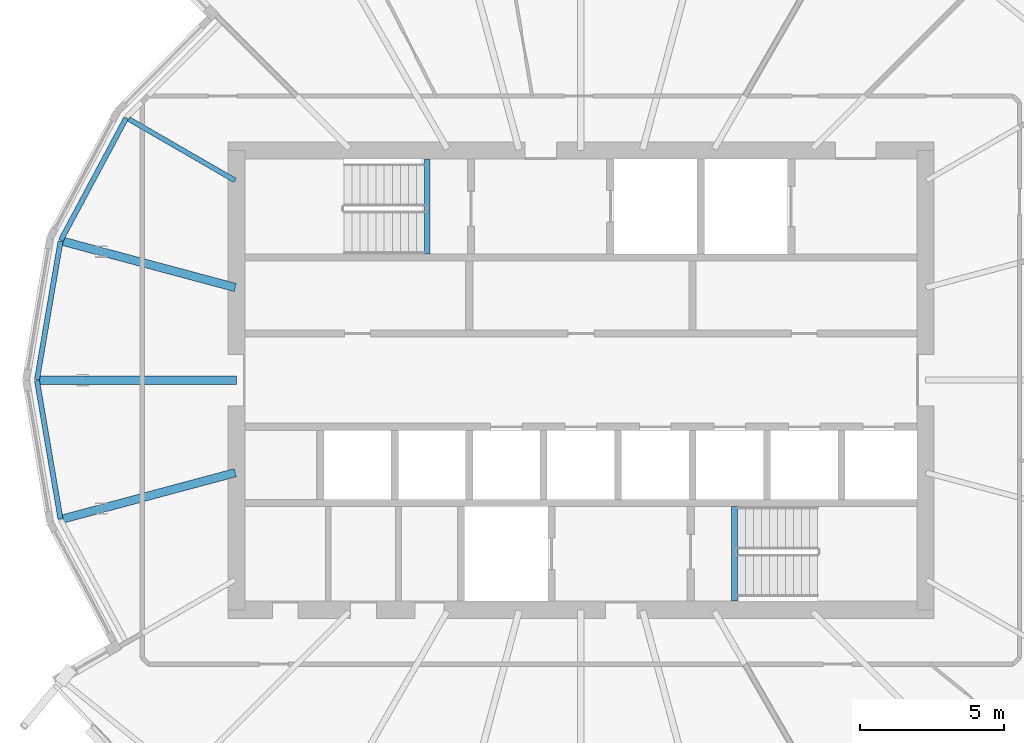
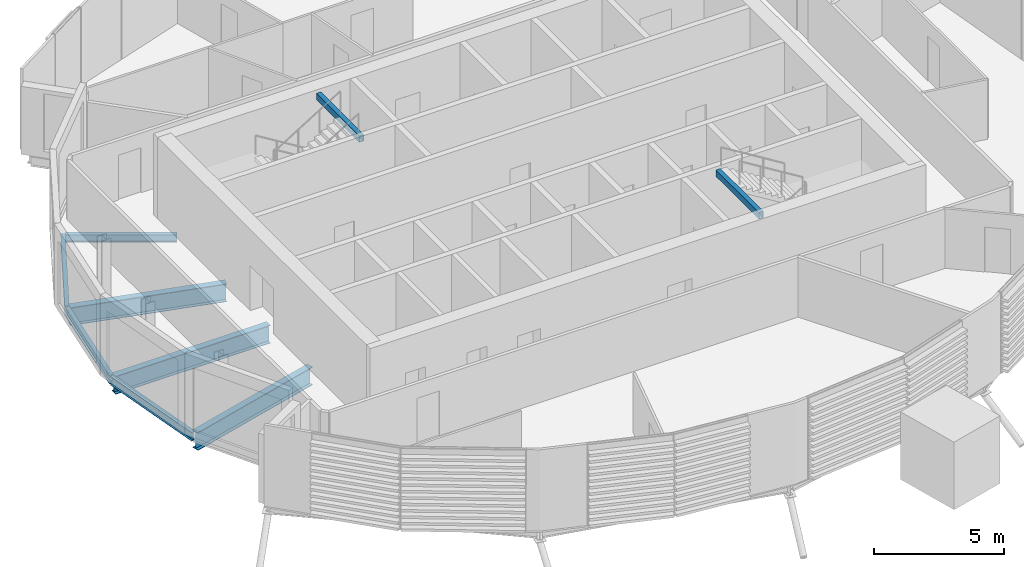
# One storey, part 5 of 38: 9 beams.
"""IFC4 building model written with IfcOpenShell, lengths in metres."""

from ifc_helpers import new_model, si_unit, direction, frame, origin, origin_2d, place, context, subcontext, project, spatial, hollow_rectangle, i_section, extrude, material, material_profile, profile_set, type_object, element, save


model = new_model("IFC4")

# Units and contexts
model_context = context("Model", 3, precision=1e-05, world=origin(), true_north=direction((0.0, 1.0)))
body_context = subcontext(model_context, "Body", "Model", "MODEL_VIEW")
ifc_project = project(units=[si_unit("LENGTHUNIT", "METRE"), si_unit("AREAUNIT", "SQUARE_METRE"), si_unit("VOLUMEUNIT", "CUBIC_METRE"), si_unit("PLANEANGLEUNIT", "RADIAN"), si_unit("MASSUNIT", "GRAM", prefix="KILO")], contexts=[model_context])

# Site, building, storey
site_placement = place(None, origin())
site = spatial("IfcSite", under=ifc_project, at=site_placement, CompositionType="ELEMENT")
building_placement = place(site_placement, origin())
building = spatial("IfcBuilding", under=site, at=building_placement, Name="Rimbun Link Towers", CompositionType="ELEMENT")
storey_placement = place(building_placement, frame((0.0, 0.0, 185.5)))
storey = spatial("IfcBuildingStorey", under=building, at=storey_placement, Name="L45", CompositionType="ELEMENT", Elevation=185.5)

# Beams
ifc_material_1 = material(Name="Steel S355J2", Category="steel")
ifc_material_profile_1 = material_profile(ifc_material_1, hollow_rectangle(XDim=0.199951171875, YDim=0.300048828125, WallThickness=0.011962890625, at=origin_2d()), Name="BOX 300x200x12")
ifc_profile_set_1 = profile_set([ifc_material_profile_1], Name="Steel S355J2")
beam_type_1 = type_object("IfcBeamType", Name="Stair trimmer beam BOX 300x200x12", PredefinedType="BEAM", material=ifc_profile_set_1)
for number, where, z_axis, x_axis, name in (
    (1, (-37.10009765625, 7.699951171875, 3.5), (0.0, -1.0, 0.0), (1.0, 0.0, 0.0), "L45 ST1 stair beam 1"),
    (2, (-26.39990234375, -7.699951171875, 3.5), (0.0, 1.0, 0.0), (-1.0, 0.0, 0.0), "L45 ST2 stair beam 1"),
):
    element("IfcBeam", number, at=place(storey_placement, frame(where, z_axis=z_axis, x_axis=x_axis)), inside=storey, type_object=beam_type_1, Name=name, PredefinedType="BEAM", context=body_context, shape_type="SweptSolid", body=[
        extrude(hollow_rectangle(XDim=0.199951171875, YDim=0.300048828125, WallThickness=0.011962890625, at=origin_2d()), origin(), (0.0, 0.0, 1.0), 3.300048828125),
    ])
ifc_material_2 = material(Name="Steel S355J2", Category="steel")
ifc_material_profile_2 = material_profile(ifc_material_2, i_section(OverallWidth=0.17138671875, OverallDepth=0.35498046875, WebThickness=0.00732421875, FlangeThickness=0.011474609375, at=origin_2d()), Name="UB 356x171x51")
ifc_profile_set_2 = profile_set([ifc_material_profile_2], Name="Steel S355J2")
beam_type_2 = type_object("IfcBeamType", Name="UB 356x171x51", PredefinedType="BEAM", material=ifc_profile_set_2)
beam_1_placement = place(storey_placement, frame((-43.793701171875, 6.95361328125, -0.327392578125), z_axis=(-0.866031820522, 0.499988885719, 0.0), x_axis=(-0.499988885719, -0.866031820522, 0.0)))
element("IfcBeam", 3, at=beam_1_placement, inside=storey, type_object=beam_type_2, Name="Radial beam T1 L45 10", PredefinedType="BEAM", context=body_context, shape_type="SweptSolid", body=[
    extrude(i_section(OverallWidth=0.17138671875, OverallDepth=0.35498046875, WebThickness=0.00732421875, FlangeThickness=0.011474609375, at=origin_2d()), origin(), (0.0, 0.0, 1.0), 4.283203125),
])
ifc_material_3 = material(Name="Steel S355J2", Category="steel")
ifc_material_profile_3 = material_profile(ifc_material_3, i_section(OverallWidth=0.177978515625, OverallDepth=0.406494140625, WebThickness=0.0078125, FlangeThickness=0.0126953125, at=origin_2d()), Name="UB 406x178x60")
ifc_profile_set_3 = profile_set([ifc_material_profile_3], Name="Steel S355J2")
beam_type_3 = type_object("IfcBeamType", Name="UB 406x178x60", PredefinedType="BEAM", material=ifc_profile_set_3)
beam_2_placement = place(storey_placement, frame((-47.588134765625, 9.1279296875, -0.353271484375), z_axis=(-0.471417274122, -0.881910286627, 0.0), x_axis=(0.881910286627, -0.471417274122, 0.0)))
element("IfcBeam", 4, at=beam_2_placement, inside=storey, type_object=beam_type_3, Name="Edge beam T1 L45 10 recess", PredefinedType="BEAM", context=body_context, shape_type="SweptSolid", body=[
    extrude(i_section(OverallWidth=0.177978515625, OverallDepth=0.406494140625, WebThickness=0.0078125, FlangeThickness=0.0126953125, at=origin_2d()), origin(), (0.0, 0.0, 1.0), 4.828857421875),
])
for number, where, z_axis, x_axis, name in (
    (5, (-49.874267578125, 4.840576171875, -0.353271484375), (-0.167666281056, -0.985843810244, 0.0), (0.985843810244, -0.167666281056, 0.0), "Edge beam T1 L45 11 recess"),
    (6, (-50.69482421875, -0.015869140625, -0.353271484375), (0.167666281056, -0.985843810244, 0.0), (0.985843810244, 0.167666281056, 0.0), "Edge beam T1 L45 12 recess"),
):
    element("IfcBeam", number, at=place(storey_placement, frame(where, z_axis=z_axis, x_axis=x_axis)), inside=storey, type_object=beam_type_3, Name=name, PredefinedType="BEAM", context=body_context, shape_type="SweptSolid", body=[
        extrude(i_section(OverallWidth=0.177978515625, OverallDepth=0.406494140625, WebThickness=0.0078125, FlangeThickness=0.0126953125, at=origin_2d()), origin(), (0.0, 0.0, 1.0), 4.89404296875),
    ])
ifc_material_4 = material(Name="Steel S355J2", Category="steel")
ifc_material_profile_4 = material_profile(ifc_material_4, i_section(OverallWidth=0.29248046875, OverallDepth=0.8408203125, WebThickness=0.0126953125, FlangeThickness=0.021728515625, at=origin_2d()), Name="UB 838x292x194")
ifc_profile_set_4 = profile_set([ifc_material_profile_4], Name="Steel S355J2")
beam_type_4 = type_object("IfcBeamType", Name="UB 838x292x194", PredefinedType="BEAM", material=ifc_profile_set_4)
beam_3_placement = place(storey_placement, frame((-43.788818359375, 3.225830078125, -0.5703125), z_axis=(-0.965921541248, 0.258835036563, 0.0), x_axis=(-0.258835036563, -0.965921541248, 0.0)))
element("IfcBeam", 7, at=beam_3_placement, inside=storey, type_object=beam_type_4, Name="Radial beam T1 L45 11", PredefinedType="BEAM", context=body_context, shape_type="SweptSolid", body=[
    extrude(i_section(OverallWidth=0.29248046875, OverallDepth=0.8408203125, WebThickness=0.0126953125, FlangeThickness=0.021728515625, at=origin_2d()), origin(), (0.0, 0.0, 1.0), 6.207275390625),
])
beam_4_placement = place(storey_placement, frame((-43.7509765625, 0.0, -0.5703125), z_axis=(-1.0, 0.0, 0.0), x_axis=(0.0, -1.0, 0.0)))
element("IfcBeam", 8, at=beam_4_placement, inside=storey, type_object=beam_type_4, Name="Radial beam T1 L45 12", PredefinedType="BEAM", context=body_context, shape_type="SweptSolid", body=[
    extrude(i_section(OverallWidth=0.29248046875, OverallDepth=0.8408203125, WebThickness=0.0126953125, FlangeThickness=0.021728515625, at=origin_2d()), origin(), (0.0, 0.0, 1.0), 6.8564453125),
])
beam_5_placement = place(storey_placement, frame((-43.788818359375, -3.225830078125, -0.5703125), z_axis=(-0.965921541248, -0.258835036563, 0.0), x_axis=(0.258835036563, -0.965921541248, 0.0)))
element("IfcBeam", 9, at=beam_5_placement, inside=storey, type_object=beam_type_4, Name="Radial beam T1 L45 13", PredefinedType="BEAM", context=body_context, shape_type="SweptSolid", body=[
    extrude(i_section(OverallWidth=0.29248046875, OverallDepth=0.8408203125, WebThickness=0.0126953125, FlangeThickness=0.021728515625, at=origin_2d()), origin(), (0.0, 0.0, 1.0), 6.207275390625),
])

save(model, "model.ifc")
